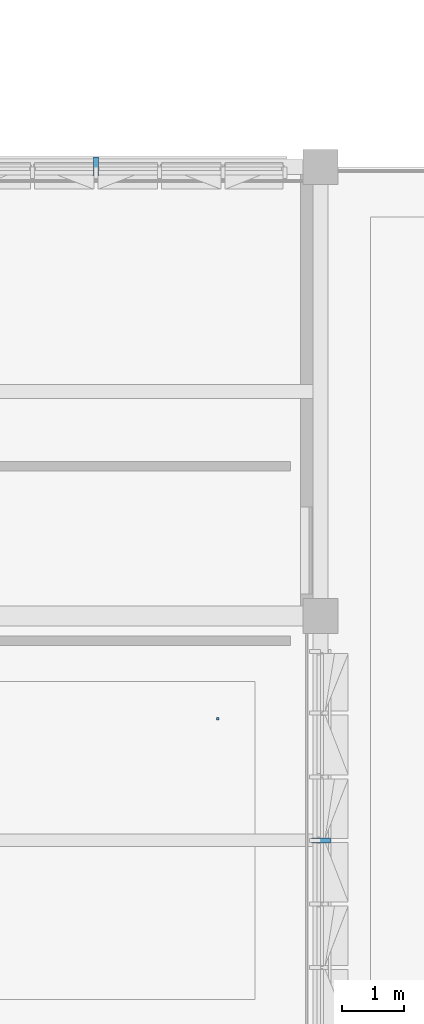
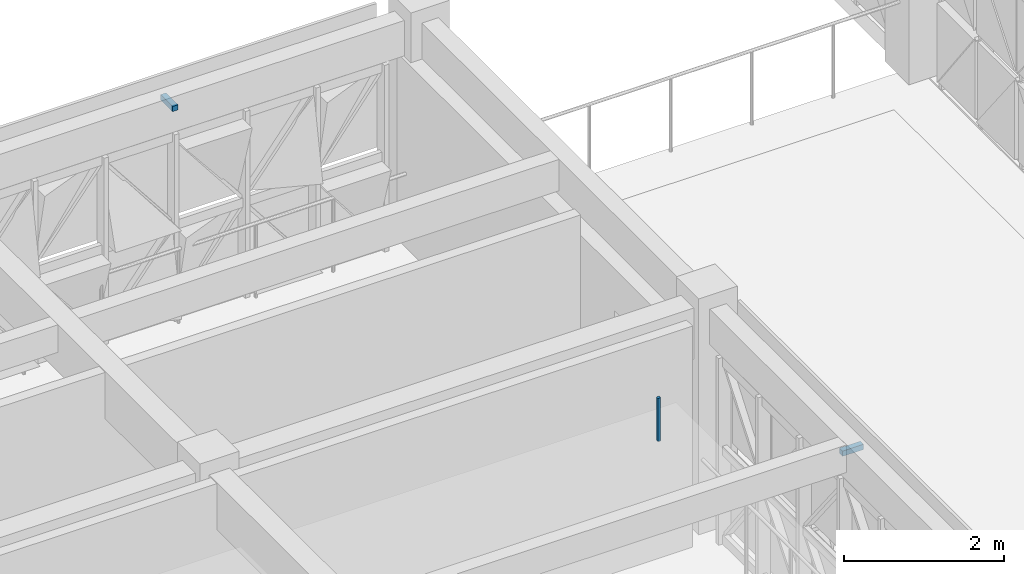
# One storey, part 59 of 85: 3 discrete accessories.
"""IFC4 building model written with IfcOpenShell, lengths in metres."""

from ifc_helpers import new_model, si_unit, direction, frame, origin, origin_2d, place, context, subcontext, project, spatial, rectangle, extrude, material, type_object, element, save


model = new_model("IFC4")

# Units and contexts
model_context = context("Model", 3, precision=1e-05, world=origin(), true_north=direction((0.0, 1.0)))
body_context = subcontext(model_context, "Body", "Model", "MODEL_VIEW")
ifc_project = project(units=[si_unit("LENGTHUNIT", "METRE"), si_unit("AREAUNIT", "SQUARE_METRE"), si_unit("VOLUMEUNIT", "CUBIC_METRE"), si_unit("PLANEANGLEUNIT", "RADIAN"), si_unit("MASSUNIT", "GRAM", prefix="KILO")], contexts=[model_context])

# Site, building, storey
site_placement = place(None, origin())
site = spatial("IfcSite", under=ifc_project, at=site_placement, CompositionType="ELEMENT")
building_placement = place(site_placement, origin())
building = spatial("IfcBuilding", under=site, at=building_placement, Name="Alvorim Cloister Faculty of Sciences", CompositionType="ELEMENT")
storey_placement = place(building_placement, frame((0.0, 0.0, 8.550048828125)))
storey = spatial("IfcBuildingStorey", under=building, at=storey_placement, Name="L02", CompositionType="ELEMENT", Elevation=8.550048828125)

# Discrete accessories
ifc_material_1 = material(Name="Galvanised Painted Steel", Category="steel")
discrete_accessory_type_1 = type_object("IfcDiscreteAccessoryType", Name="ACC-CEIL-ROD", PredefinedType="BRACKET", material=ifc_material_1)
discrete_accessory_placement = place(storey_placement, frame((55.949951171875, 5.550048828125, 2.75), z_axis=(0.0, 0.0, 1.0), x_axis=(1.0, 0.0, 0.0)))
element("IfcDiscreteAccessory", 1, at=discrete_accessory_placement, inside=storey, type_object=discrete_accessory_type_1, Name="Ceiling Suspension Bracket ACC-ROD-018", PredefinedType="BRACKET", context=body_context, shape_type="SweptSolid", body=[
    extrude(rectangle(XDim=0.0400390625, YDim=0.0400390625, at=origin_2d()), origin(), (0.0, 0.0, 1.0), 0.659912109375),
])
ifc_material_2 = material(Name="Aluminium Alloy 6063-T6", Category="aluminium")
discrete_accessory_type_2 = type_object("IfcDiscreteAccessoryType", Name="ACC-DIAG-BAR", PredefinedType="BRACKET", material=ifc_material_2)
for number, where, z_axis, x_axis, name in (
    (2, (54.0, 14.260009765625, 3.224853515625), (0.0, 1.0, 0.0), (-1.0, 0.0, 0.0), "Slab-Edge Fascia Tie Bracket ACC-00826"),
    (3, (57.4599609375, 3.60009765625, 3.224853515625), (1.0, 0.0, 0.0), (0.0, 1.0, 0.0), "Slab-Edge Fascia Tie Bracket ACC-00839"),
):
    element("IfcDiscreteAccessory", number, at=place(storey_placement, frame(where, z_axis=z_axis, x_axis=x_axis)), inside=storey, type_object=discrete_accessory_type_2, Name=name, PredefinedType="BRACKET", context=body_context, shape_type="SweptSolid", body=[
        extrude(rectangle(XDim=0.080078125, YDim=0.080078125, at=origin_2d()), origin(), (0.0, 0.0, 1.0), 0.300048828125),
    ])

save(model, "model.ifc")
